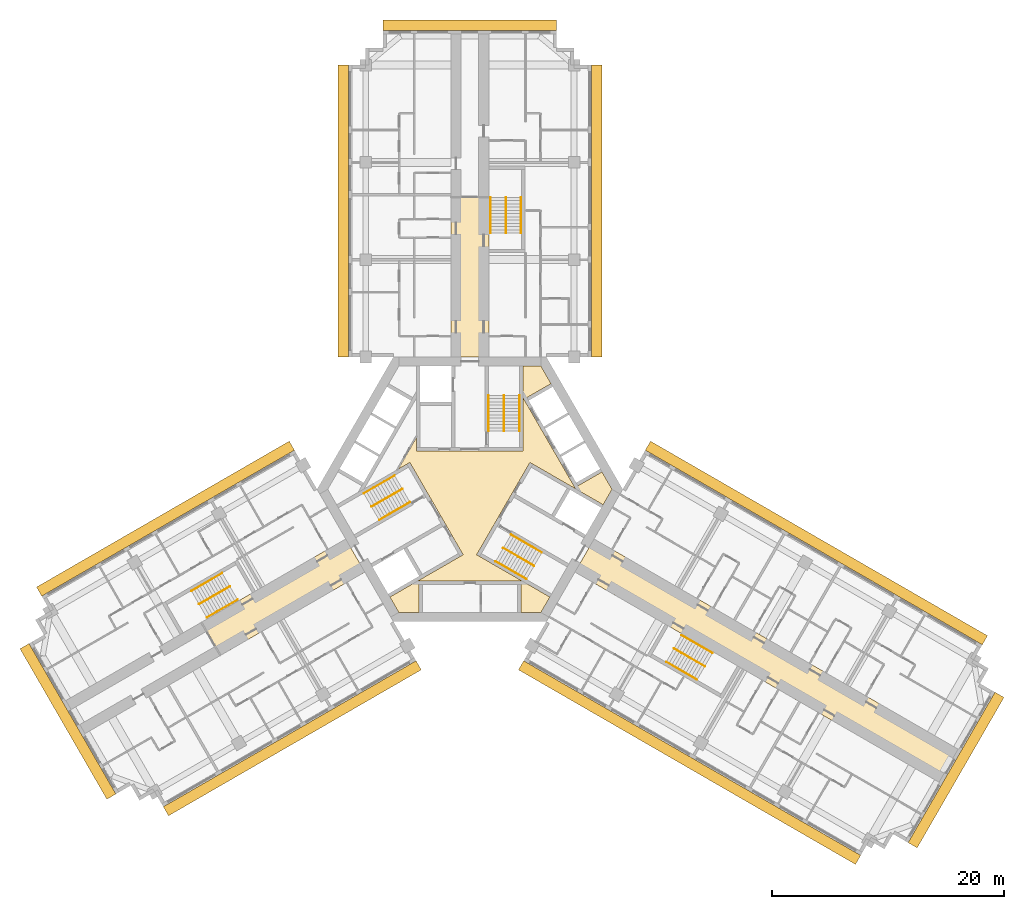
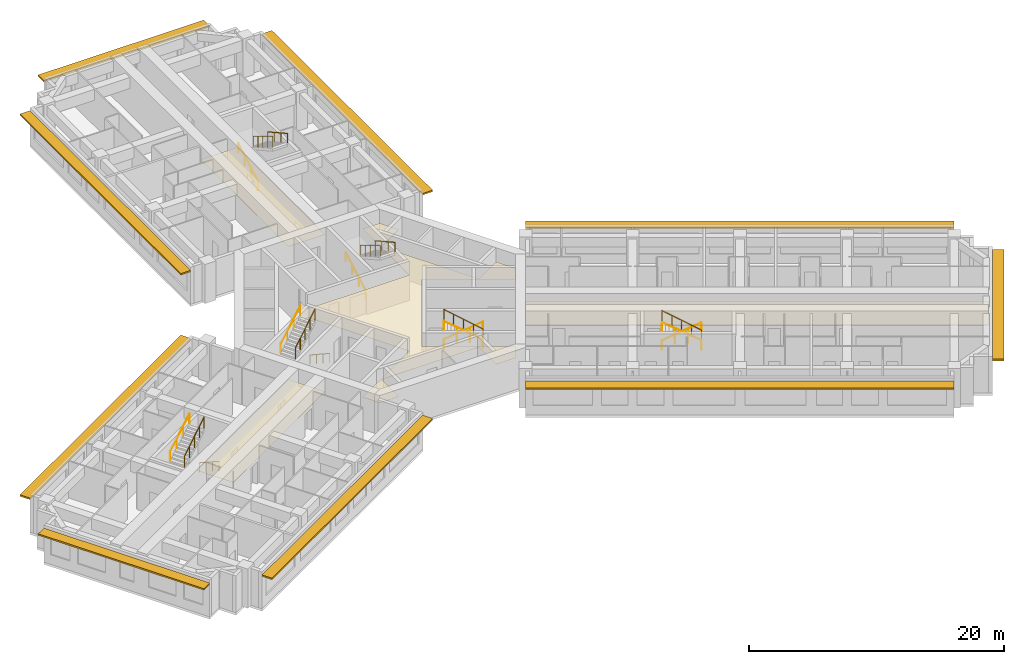
# One storey, part 14 of 14: 18 railings, 4 coverings, 3 shading devices.
"""IFC4 building model written with IfcOpenShell, lengths in metres."""

from ifc_helpers import new_model, si_unit, direction, frame, origin, origin_2d, place, context, subcontext, project, spatial, polyline, rectangle, circle, outline, extrude, material, layer, layer_set, type_object, element, save


model = new_model("IFC4")

# Units and contexts
model_context = context("Model", 3, precision=1e-05, world=origin(), true_north=direction((0.0, 1.0)))
body_context = subcontext(model_context, "Body", "Model", "MODEL_VIEW")
ifc_project = project(units=[si_unit("LENGTHUNIT", "METRE"), si_unit("AREAUNIT", "SQUARE_METRE"), si_unit("VOLUMEUNIT", "CUBIC_METRE"), si_unit("PLANEANGLEUNIT", "RADIAN"), si_unit("MASSUNIT", "GRAM", prefix="KILO")], contexts=[model_context])

# Site, building, storey
site_placement = place(None, origin())
site = spatial("IfcSite", under=ifc_project, at=site_placement, CompositionType="ELEMENT")
building_placement = place(site_placement, origin())
building = spatial("IfcBuilding", under=site, at=building_placement, Name="Impinga Residences", CompositionType="ELEMENT")
storey_placement = place(building_placement, frame((0.0, 0.0, 147.25)))
storey = spatial("IfcBuildingStorey", under=building, at=storey_placement, Name="L36", CompositionType="ELEMENT", Elevation=147.25)

# Coverings
ifc_material_1 = material(Name="Plasterboard 15 mm on steel hangers", Category="steel")
ifc_layer_1 = layer(ifc_material_1, 0.014892578125)
ifc_layer_set_1 = layer_set([ifc_layer_1], Name="Plasterboard 15 mm on steel hangers")
covering_type_1 = type_object("IfcCoveringType", Name="CL1 corridor ceiling, 15 mm plasterboard on hangers", PredefinedType="CEILING", material=ifc_layer_set_1)
covering_1_placement = place(storey_placement, frame((0.0, 0.0, 2.39990234375)))
element("IfcCovering", 1, at=covering_1_placement, inside=storey, type_object=covering_type_1, Name="Corridor ceiling CL1 L36-N00", PredefinedType="CEILING", context=body_context, shape_type="SweptSolid", body=[
    extrude(outline(polyline([(-1.64990234375, 11.431640625), (1.64990234375, 11.431640625), (1.64990234375, 25.181640625), (-1.64990234375, 25.181640625), (-1.64990234375, 11.431640625)])), origin(), (0.0, 0.0, 1.0), 0.01513671875),
])
covering_2_placement = place(storey_placement, frame((0.0, 0.0, 2.39990234375)))
element("IfcCovering", 2, at=covering_2_placement, inside=storey, type_object=covering_type_1, Name="Corridor ceiling CL1 L36-W00", PredefinedType="CEILING", context=body_context, shape_type="SweptSolid", body=[
    extrude(outline(polyline([(-9.074951171875, -7.144775390625), (-10.72509765625, -4.286865234375), (-23.15234375, -11.4619140625), (-21.50244140625, -14.31982421875), (-9.074951171875, -7.144775390625)])), origin(), (0.0, 0.0, 1.0), 0.01513671875),
])
covering_3_placement = place(storey_placement, frame((0.0, 0.0, 2.39990234375)))
element("IfcCovering", 3, at=covering_3_placement, inside=storey, type_object=covering_type_1, Name="Corridor ceiling CL1 L36-E00", PredefinedType="CEILING", context=body_context, shape_type="SweptSolid", body=[
    extrude(outline(polyline([(10.72509765625, -4.286865234375), (9.074951171875, -7.144775390625), (40.51171875, -25.294677734375), (42.16162109375, -22.436767578125), (10.72509765625, -4.286865234375)])), origin(), (0.0, 0.0, 1.0), 0.01513671875),
])
ifc_material_2 = material(Name="Mineral fibre tiles 20 mm on exposed grid", Category="mineral fibre")
ifc_layer_2 = layer(ifc_material_2, 0.02001953125)
ifc_layer_set_2 = layer_set([ifc_layer_2], Name="CL2 lift lobby ceiling, 20 mm mineral fibre tiles")
covering_type_2 = type_object("IfcCoveringType", Name="CL2 lift lobby ceiling, 20 mm mineral fibre tiles", PredefinedType="CEILING", material=ifc_layer_set_2)
covering_4_placement = place(storey_placement, frame((0.0, 0.0, 2.39990234375)))
element("IfcCovering", 4, at=covering_4_placement, inside=storey, type_object=covering_type_2, Name="Lift lobby ceiling CL2 L36-C01", PredefinedType="CEILING", context=body_context, shape_type="SweptSolid", body=[
    extrude(outline(polyline([(5.183837890625, 2.318603515625), (0.583984375, -5.648681640625), (6.9072265625, -9.299560546875), (6.13818359375, -10.631591796875), (4.39990234375, -10.631591796875), (4.39990234375, -7.931640625), (-4.39990234375, -7.931640625), (-4.39990234375, -10.631591796875), (-6.13818359375, -10.631591796875), (-6.9072265625, -9.299560546875), (-0.583984375, -5.648681640625), (-5.183837890625, 2.318603515625), (-6.193359375, 1.73583984375), (-4.60009765625, 4.49560546875), (-4.60009765625, 3.330078125), (4.60009765625, 3.330078125), (4.60009765625, 10.631591796875), (6.13818359375, 10.631591796875), (7.007080078125, 9.126220703125), (4.6689453125, 7.7763671875), (9.06884765625, 0.1552734375), (11.4072265625, 1.50537109375), (12.276123046875, 0.0), (11.507080078125, -1.33203125), (5.183837890625, 2.318603515625)])), origin(), (0.0, 0.0, 1.0), 0.02001953125),
])

# Railings
ifc_material_3 = material(Name="Steel guard, powder coated", Category="steel")
railing_type_1 = type_object("IfcRailingType", Name="GR1 stair guard 1100", PredefinedType="GUARDRAIL", material=ifc_material_3)
railing_1_placement = place(storey_placement, frame((2.949951171875, 8.110107421875, 1.875)))
element("IfcRailing", 5, at=railing_1_placement, inside=storey, type_object=railing_type_1, Name="Stair guard GR1 ST1 L36", PredefinedType="GUARDRAIL", context=body_context, shape_type="SweptSolid", body=[
    extrude(circle(Radius=0.02392578125, at=origin_2d()), frame((0.0, 0.0, 1.076171875), z_axis=(0.0, -0.854177636135, 0.519981313056), x_axis=(1.0, 0.0, 0.0)), (0.0, 0.0, 1.0), 3.60595703125),
    extrude(circle(Radius=0.02099609375, at=origin_2d()), origin(), (0.0, 0.0, 1.0), 1.052001953125),
    extrude(circle(Radius=0.02099609375, at=origin_2d()), frame((0.0, -0.77001953125, 0.46875)), (0.0, 0.0, 1.0), 1.052001953125),
    extrude(circle(Radius=0.02099609375, at=origin_2d()), frame((0.0, -1.5400390625, 0.9375)), (0.0, 0.0, 1.0), 1.052001953125),
    extrude(circle(Radius=0.02099609375, at=origin_2d()), frame((0.0, -2.31005859375, 1.40625)), (0.0, 0.0, 1.0), 1.052001953125),
    extrude(circle(Radius=0.02099609375, at=origin_2d()), frame((0.0, -3.080078125, 1.875)), (0.0, 0.0, 1.0), 1.052001953125),
])
railing_2_placement = place(storey_placement, frame((-8.49853515625, -1.500244140625, 1.875)))
element("IfcRailing", 6, at=railing_2_placement, inside=storey, type_object=railing_type_1, Name="Stair guard GR1 ST2 L36", PredefinedType="GUARDRAIL", context=body_context, shape_type="SweptSolid", body=[
    extrude(circle(Radius=0.02392578125, at=origin_2d()), frame((0.0, 0.0, 1.076171875), z_axis=(0.739746383972, 0.427084037168, 0.519975492303), x_axis=(-0.499992328818, 0.866029832698, 0.0)), (0.0, 0.0, 1.0), 3.60595703125),
    extrude(circle(Radius=0.02099609375, at=origin_2d()), origin(), (0.0, 0.0, 1.0), 1.052001953125),
    extrude(circle(Radius=0.02099609375, at=origin_2d()), frame((0.6669921875, 0.385009765625, 0.46875)), (0.0, 0.0, 1.0), 1.052001953125),
    extrude(circle(Radius=0.02099609375, at=origin_2d()), frame((1.333740234375, 0.77001953125, 0.9375)), (0.0, 0.0, 1.0), 1.052001953125),
    extrude(circle(Radius=0.02099609375, at=origin_2d()), frame((2.00048828125, 1.155029296875, 1.40625)), (0.0, 0.0, 1.0), 1.052001953125),
    extrude(circle(Radius=0.02099609375, at=origin_2d()), frame((2.66748046875, 1.5400390625, 1.875)), (0.0, 0.0, 1.0), 1.052001953125),
])
railing_3_placement = place(storey_placement, frame((5.548583984375, -6.60986328125, 1.875)))
element("IfcRailing", 7, at=railing_3_placement, inside=storey, type_object=railing_type_1, Name="Stair guard GR1 ST3 L36", PredefinedType="GUARDRAIL", context=body_context, shape_type="SweptSolid", body=[
    extrude(circle(Radius=0.02392578125, at=origin_2d()), frame((0.0, 0.0, 1.076171875), z_axis=(-0.739746383972, 0.427084037168, 0.519975492303), x_axis=(-0.499992328818, -0.866029832698, 0.0)), (0.0, 0.0, 1.0), 3.60595703125),
    extrude(circle(Radius=0.02099609375, at=origin_2d()), origin(), (0.0, 0.0, 1.0), 1.052001953125),
    extrude(circle(Radius=0.02099609375, at=origin_2d()), frame((-0.6669921875, 0.385009765625, 0.46875)), (0.0, 0.0, 1.0), 1.052001953125),
    extrude(circle(Radius=0.02099609375, at=origin_2d()), frame((-1.333740234375, 0.77001953125, 0.9375)), (0.0, 0.0, 1.0), 1.052001953125),
    extrude(circle(Radius=0.02099609375, at=origin_2d()), frame((-2.00048828125, 1.155029296875, 1.40625)), (0.0, 0.0, 1.0), 1.052001953125),
    extrude(circle(Radius=0.02099609375, at=origin_2d()), frame((-2.66748046875, 1.5400390625, 1.875)), (0.0, 0.0, 1.0), 1.052001953125),
])
railing_4_placement = place(storey_placement, frame((3.10009765625, 25.21142578125, 1.875)))
element("IfcRailing", 8, at=railing_4_placement, inside=storey, type_object=railing_type_1, Name="Stair guard GR1 WS1 L36", PredefinedType="GUARDRAIL", context=body_context, shape_type="SweptSolid", body=[
    extrude(circle(Radius=0.02392578125, at=origin_2d()), frame((0.0, 0.0, 1.076171875), z_axis=(0.0, -0.854159328187, 0.520011386482), x_axis=(1.0, 0.0, 0.0)), (0.0, 0.0, 1.0), 3.605712890625),
    extrude(circle(Radius=0.02099609375, at=origin_2d()), origin(), (0.0, 0.0, 1.0), 1.052001953125),
    extrude(circle(Radius=0.02099609375, at=origin_2d()), frame((0.0, -0.77001953125, 0.46875)), (0.0, 0.0, 1.0), 1.052001953125),
    extrude(circle(Radius=0.02099609375, at=origin_2d()), frame((0.0, -1.5400390625, 0.9375)), (0.0, 0.0, 1.0), 1.052001953125),
    extrude(circle(Radius=0.02099609375, at=origin_2d()), frame((0.0, -2.309814453125, 1.40625)), (0.0, 0.0, 1.0), 1.052001953125),
    extrude(circle(Radius=0.02099609375, at=origin_2d()), frame((0.0, -3.079833984375, 1.875)), (0.0, 0.0, 1.0), 1.052001953125),
])
railing_5_placement = place(storey_placement, frame((-23.3837890625, -9.921142578125, 1.875)))
element("IfcRailing", 9, at=railing_5_placement, inside=storey, type_object=railing_type_1, Name="Stair guard GR1 WS2 L36", PredefinedType="GUARDRAIL", context=body_context, shape_type="SweptSolid", body=[
    extrude(circle(Radius=0.02392578125, at=origin_2d()), frame((0.0, 0.0, 1.076171875), z_axis=(0.739715726454, 0.427105428144, 0.52000153585), x_axis=(-0.500026652407, 0.866010015463, 0.0)), (0.0, 0.0, 1.0), 3.605712890625),
    extrude(circle(Radius=0.02099609375, at=origin_2d()), origin(), (0.0, 0.0, 1.0), 1.052001953125),
    extrude(circle(Radius=0.02099609375, at=origin_2d()), frame((0.666748046875, 0.385009765625, 0.46875)), (0.0, 0.0, 1.0), 1.052001953125),
    extrude(circle(Radius=0.02099609375, at=origin_2d()), frame((1.33349609375, 0.77001953125, 0.9375)), (0.0, 0.0, 1.0), 1.052001953125),
    extrude(circle(Radius=0.02099609375, at=origin_2d()), frame((2.00048828125, 1.155029296875, 1.40625)), (0.0, 0.0, 1.0), 1.052001953125),
    extrude(circle(Radius=0.02099609375, at=origin_2d()), frame((2.667236328125, 1.5400390625, 1.875)), (0.0, 0.0, 1.0), 1.052001953125),
])
railing_6_placement = place(storey_placement, frame((20.283935546875, -15.29052734375, 1.875)))
element("IfcRailing", 10, at=railing_6_placement, inside=storey, type_object=railing_type_1, Name="Stair guard GR1 WS3 L36", PredefinedType="GUARDRAIL", context=body_context, shape_type="SweptSolid", body=[
    extrude(circle(Radius=0.02392578125, at=origin_2d()), frame((0.0, 0.0, 1.076171875), z_axis=(-0.739746383972, 0.427084037168, 0.519975492303), x_axis=(-0.499992328818, -0.866029832698, 0.0)), (0.0, 0.0, 1.0), 3.60595703125),
    extrude(circle(Radius=0.02099609375, at=origin_2d()), origin(), (0.0, 0.0, 1.0), 1.052001953125),
    extrude(circle(Radius=0.02099609375, at=origin_2d()), frame((-0.6669921875, 0.385009765625, 0.46875)), (0.0, 0.0, 1.0), 1.052001953125),
    extrude(circle(Radius=0.02099609375, at=origin_2d()), frame((-1.333740234375, 0.77001953125, 0.9375)), (0.0, 0.0, 1.0), 1.052001953125),
    extrude(circle(Radius=0.02099609375, at=origin_2d()), frame((-2.00048828125, 1.155029296875, 1.40625)), (0.0, 0.0, 1.0), 1.052001953125),
    extrude(circle(Radius=0.02099609375, at=origin_2d()), frame((-2.66748046875, 1.5400390625, 1.875)), (0.0, 0.0, 1.0), 1.052001953125),
])
ifc_material_4 = material(Name="Steel handrail tube 42 mm, powder coated", Category="steel")
railing_type_2 = type_object("IfcRailingType", Name="HR1 stair handrail, 42 mm steel tube, 900 above the pitch line", PredefinedType="HANDRAIL", material=ifc_material_4)
railing_7_placement = place(storey_placement, frame((1.62109375, 5.030029296875, 0.15625)))
element("IfcRailing", 11, at=railing_7_placement, inside=storey, type_object=railing_type_2, Name="Stair handrail HR1 ST1 L36", PredefinedType="HANDRAIL", context=body_context, shape_type="SweptSolid", body=[
    extrude(circle(Radius=0.02099609375, at=origin_2d()), frame((0.0, 0.0, 0.87890625), z_axis=(0.0, 0.873241540666, 0.487287606713), x_axis=(-1.0, 0.0, 0.0)), (0.0, 0.0, 1.0), 3.527099609375),
    extrude(circle(Radius=0.012451171875, at=origin_2d()), origin(), (0.0, 0.0, 1.0), 0.85791015625),
    extrude(circle(Radius=0.012451171875, at=origin_2d()), frame((0.0, 1.026611328125, 0.572998046875)), (0.0, 0.0, 1.0), 0.85791015625),
    extrude(circle(Radius=0.012451171875, at=origin_2d()), frame((0.0, 2.053466796875, 1.145751953125)), (0.0, 0.0, 1.0), 0.85791015625),
    extrude(circle(Radius=0.012451171875, at=origin_2d()), frame((0.0, 3.080078125, 1.71875)), (0.0, 0.0, 1.0), 0.85791015625),
])
railing_8_placement = place(storey_placement, frame((4.279052734375, 8.110107421875, 2.03125)))
element("IfcRailing", 12, at=railing_8_placement, inside=storey, type_object=railing_type_2, Name="Stair handrail HR1 ST1 L36", PredefinedType="HANDRAIL", context=body_context, shape_type="SweptSolid", body=[
    extrude(circle(Radius=0.02099609375, at=origin_2d()), frame((0.0, 0.0, 0.87890625), z_axis=(0.0, -0.873241540666, 0.487287606713), x_axis=(1.0, 0.0, 0.0)), (0.0, 0.0, 1.0), 3.527099609375),
    extrude(circle(Radius=0.012451171875, at=origin_2d()), origin(), (0.0, 0.0, 1.0), 0.85791015625),
    extrude(circle(Radius=0.012451171875, at=origin_2d()), frame((0.0, -1.026611328125, 0.572998046875)), (0.0, 0.0, 1.0), 0.85791015625),
    extrude(circle(Radius=0.012451171875, at=origin_2d()), frame((0.0, -2.053466796875, 1.145751953125)), (0.0, 0.0, 1.0), 0.85791015625),
    extrude(circle(Radius=0.012451171875, at=origin_2d()), frame((0.0, -3.080078125, 1.71875)), (0.0, 0.0, 1.0), 0.85791015625),
])
railing_9_placement = place(storey_placement, frame((-5.16650390625, -1.111083984375, 0.15625)))
element("IfcRailing", 13, at=railing_9_placement, inside=storey, type_object=railing_type_2, Name="Stair handrail HR1 ST2 L36", PredefinedType="HANDRAIL", context=body_context, shape_type="SweptSolid", body=[
    extrude(circle(Radius=0.02099609375, at=origin_2d()), frame((0.0, 0.0, 0.87890625), z_axis=(-0.756255980417, -0.436615662133, 0.487281905742), x_axis=(0.499992328818, -0.866029832698, 0.0)), (0.0, 0.0, 1.0), 3.527099609375),
    extrude(circle(Radius=0.012451171875, at=origin_2d()), origin(), (0.0, 0.0, 1.0), 0.85791015625),
    extrude(circle(Radius=0.012451171875, at=origin_2d()), frame((-0.88916015625, -0.513427734375, 0.572998046875)), (0.0, 0.0, 1.0), 0.85791015625),
    extrude(circle(Radius=0.012451171875, at=origin_2d()), frame((-1.7783203125, -1.026611328125, 1.145751953125)), (0.0, 0.0, 1.0), 0.85791015625),
    extrude(circle(Radius=0.012451171875, at=origin_2d()), frame((-2.66748046875, -1.5400390625, 1.71875)), (0.0, 0.0, 1.0), 0.85791015625),
])
railing_10_placement = place(storey_placement, frame((-9.1630859375, -0.349365234375, 2.03125)))
element("IfcRailing", 14, at=railing_10_placement, inside=storey, type_object=railing_type_2, Name="Stair handrail HR1 ST2 L36", PredefinedType="HANDRAIL", context=body_context, shape_type="SweptSolid", body=[
    extrude(circle(Radius=0.02099609375, at=origin_2d()), frame((0.0, 0.0, 0.87890625), z_axis=(0.756255980417, 0.436615662133, 0.487281905742), x_axis=(-0.499992328818, 0.866029832698, 0.0)), (0.0, 0.0, 1.0), 3.527099609375),
    extrude(circle(Radius=0.012451171875, at=origin_2d()), origin(), (0.0, 0.0, 1.0), 0.85791015625),
    extrude(circle(Radius=0.012451171875, at=origin_2d()), frame((0.88916015625, 0.513427734375, 0.572998046875)), (0.0, 0.0, 1.0), 0.85791015625),
    extrude(circle(Radius=0.012451171875, at=origin_2d()), frame((1.7783203125, 1.026611328125, 1.145751953125)), (0.0, 0.0, 1.0), 0.85791015625),
    extrude(circle(Radius=0.012451171875, at=origin_2d()), frame((2.66748046875, 1.5400390625, 1.71875)), (0.0, 0.0, 1.0), 0.85791015625),
])
railing_11_placement = place(storey_placement, frame((3.545654296875, -3.9189453125, 0.15625)))
element("IfcRailing", 15, at=railing_11_placement, inside=storey, type_object=railing_type_2, Name="Stair handrail HR1 ST3 L36", PredefinedType="HANDRAIL", context=body_context, shape_type="SweptSolid", body=[
    extrude(circle(Radius=0.02099609375, at=origin_2d()), frame((0.0, 0.0, 0.87890625), z_axis=(0.756249203677, -0.436582492228, 0.487322141317), x_axis=(0.499967199496, 0.866044340336, 0.0)), (0.0, 0.0, 1.0), 3.52685546875),
    extrude(circle(Radius=0.012451171875, at=origin_2d()), origin(), (0.0, 0.0, 1.0), 0.85791015625),
    extrude(circle(Radius=0.012451171875, at=origin_2d()), frame((0.88916015625, -0.51318359375, 0.572998046875)), (0.0, 0.0, 1.0), 0.85791015625),
    extrude(circle(Radius=0.012451171875, at=origin_2d()), frame((1.778076171875, -1.026611328125, 1.145751953125)), (0.0, 0.0, 1.0), 0.85791015625),
    extrude(circle(Radius=0.012451171875, at=origin_2d()), frame((2.667236328125, -1.539794921875, 1.71875)), (0.0, 0.0, 1.0), 0.85791015625),
])
railing_12_placement = place(storey_placement, frame((4.884033203125, -7.7607421875, 2.03125)))
element("IfcRailing", 16, at=railing_12_placement, inside=storey, type_object=railing_type_2, Name="Stair handrail HR1 ST3 L36", PredefinedType="HANDRAIL", context=body_context, shape_type="SweptSolid", body=[
    extrude(circle(Radius=0.02099609375, at=origin_2d()), frame((0.0, 0.0, 0.87890625), z_axis=(-0.756255980417, 0.436615662133, 0.487281905742), x_axis=(-0.499992328818, -0.866029832698, 0.0)), (0.0, 0.0, 1.0), 3.527099609375),
    extrude(circle(Radius=0.012451171875, at=origin_2d()), origin(), (0.0, 0.0, 1.0), 0.85791015625),
    extrude(circle(Radius=0.012451171875, at=origin_2d()), frame((-0.88916015625, 0.513427734375, 0.572998046875)), (0.0, 0.0, 1.0), 0.85791015625),
    extrude(circle(Radius=0.012451171875, at=origin_2d()), frame((-1.7783203125, 1.026611328125, 1.145751953125)), (0.0, 0.0, 1.0), 0.85791015625),
    extrude(circle(Radius=0.012451171875, at=origin_2d()), frame((-2.66748046875, 1.5400390625, 1.71875)), (0.0, 0.0, 1.0), 0.85791015625),
])
railing_13_placement = place(storey_placement, frame((1.77099609375, 22.131591796875, 0.15625)))
element("IfcRailing", 17, at=railing_13_placement, inside=storey, type_object=railing_type_2, Name="Stair handrail HR1 WS1 L36", PredefinedType="HANDRAIL", context=body_context, shape_type="SweptSolid", body=[
    extrude(circle(Radius=0.02099609375, at=origin_2d()), frame((0.0, 0.0, 0.87890625), z_axis=(0.0, 0.873225103656, 0.487317061414), x_axis=(-1.0, 0.0, 0.0)), (0.0, 0.0, 1.0), 3.52685546875),
    extrude(circle(Radius=0.012451171875, at=origin_2d()), origin(), (0.0, 0.0, 1.0), 0.85791015625),
    extrude(circle(Radius=0.012451171875, at=origin_2d()), frame((0.0, 1.026611328125, 0.572998046875)), (0.0, 0.0, 1.0), 0.85791015625),
    extrude(circle(Radius=0.012451171875, at=origin_2d()), frame((0.0, 2.05322265625, 1.145751953125)), (0.0, 0.0, 1.0), 0.85791015625),
    extrude(circle(Radius=0.012451171875, at=origin_2d()), frame((0.0, 3.079833984375, 1.71875)), (0.0, 0.0, 1.0), 0.85791015625),
])
railing_14_placement = place(storey_placement, frame((4.428955078125, 25.21142578125, 2.03125)))
element("IfcRailing", 18, at=railing_14_placement, inside=storey, type_object=railing_type_2, Name="Stair handrail HR1 WS1 L36", PredefinedType="HANDRAIL", context=body_context, shape_type="SweptSolid", body=[
    extrude(circle(Radius=0.02099609375, at=origin_2d()), frame((0.0, 0.0, 0.87890625), z_axis=(0.0, -0.873225103656, 0.487317061414), x_axis=(1.0, 0.0, 0.0)), (0.0, 0.0, 1.0), 3.52685546875),
    extrude(circle(Radius=0.012451171875, at=origin_2d()), origin(), (0.0, 0.0, 1.0), 0.85791015625),
    extrude(circle(Radius=0.012451171875, at=origin_2d()), frame((0.0, -1.026611328125, 0.572998046875)), (0.0, 0.0, 1.0), 0.85791015625),
    extrude(circle(Radius=0.012451171875, at=origin_2d()), frame((0.0, -2.05322265625, 1.145751953125)), (0.0, 0.0, 1.0), 0.85791015625),
    extrude(circle(Radius=0.012451171875, at=origin_2d()), frame((0.0, -3.079833984375, 1.71875)), (0.0, 0.0, 1.0), 0.85791015625),
])
railing_15_placement = place(storey_placement, frame((-20.052001953125, -9.531982421875, 0.15625)))
element("IfcRailing", 19, at=railing_15_placement, inside=storey, type_object=railing_type_2, Name="Stair handrail HR1 WS2 L36", PredefinedType="HANDRAIL", context=body_context, shape_type="SweptSolid", body=[
    extrude(circle(Radius=0.02099609375, at=origin_2d()), frame((0.0, 0.0, 0.87890625), z_axis=(-0.756226348243, -0.436638517594, 0.487307413422), x_axis=(0.500026652407, -0.866010015463, 0.0)), (0.0, 0.0, 1.0), 3.527099609375),
    extrude(circle(Radius=0.012451171875, at=origin_2d()), origin(), (0.0, 0.0, 1.0), 0.85791015625),
    extrude(circle(Radius=0.012451171875, at=origin_2d()), frame((-0.88916015625, -0.513427734375, 0.572998046875)), (0.0, 0.0, 1.0), 0.85791015625),
    extrude(circle(Radius=0.012451171875, at=origin_2d()), frame((-1.778076171875, -1.026611328125, 1.145751953125)), (0.0, 0.0, 1.0), 0.85791015625),
    extrude(circle(Radius=0.012451171875, at=origin_2d()), frame((-2.667236328125, -1.5400390625, 1.71875)), (0.0, 0.0, 1.0), 0.85791015625),
])
railing_16_placement = place(storey_placement, frame((-24.04833984375, -8.77001953125, 2.03125)))
element("IfcRailing", 20, at=railing_16_placement, inside=storey, type_object=railing_type_2, Name="Stair handrail HR1 WS2 L36", PredefinedType="HANDRAIL", context=body_context, shape_type="SweptSolid", body=[
    extrude(circle(Radius=0.02099609375, at=origin_2d()), frame((0.0, 0.0, 0.87890625), z_axis=(0.756278834354, 0.436559638319, 0.487296631324), x_axis=(-0.499932877268, 0.866064153644, 0.0)), (0.0, 0.0, 1.0), 3.527099609375),
    extrude(circle(Radius=0.012451171875, at=origin_2d()), origin(), (0.0, 0.0, 1.0), 0.85791015625),
    extrude(circle(Radius=0.012451171875, at=origin_2d()), frame((0.88916015625, 0.51318359375, 0.572998046875)), (0.0, 0.0, 1.0), 0.85791015625),
    extrude(circle(Radius=0.012451171875, at=origin_2d()), frame((1.7783203125, 1.026611328125, 1.145751953125)), (0.0, 0.0, 1.0), 0.85791015625),
    extrude(circle(Radius=0.012451171875, at=origin_2d()), frame((2.66748046875, 1.539794921875, 1.71875)), (0.0, 0.0, 1.0), 0.85791015625),
])
railing_17_placement = place(storey_placement, frame((18.281005859375, -12.599609375, 0.15625)))
element("IfcRailing", 21, at=railing_17_placement, inside=storey, type_object=railing_type_2, Name="Stair handrail HR1 WS3 L36", PredefinedType="HANDRAIL", context=body_context, shape_type="SweptSolid", body=[
    extrude(circle(Radius=0.02099609375, at=origin_2d()), frame((0.0, 0.0, 0.87890625), z_axis=(0.756249203677, -0.436582492228, 0.487322141317), x_axis=(0.499967199496, 0.866044340336, 0.0)), (0.0, 0.0, 1.0), 3.52685546875),
    extrude(circle(Radius=0.012451171875, at=origin_2d()), origin(), (0.0, 0.0, 1.0), 0.85791015625),
    extrude(circle(Radius=0.012451171875, at=origin_2d()), frame((0.88916015625, -0.51318359375, 0.572998046875)), (0.0, 0.0, 1.0), 0.85791015625),
    extrude(circle(Radius=0.012451171875, at=origin_2d()), frame((1.778076171875, -1.026611328125, 1.145751953125)), (0.0, 0.0, 1.0), 0.85791015625),
    extrude(circle(Radius=0.012451171875, at=origin_2d()), frame((2.667236328125, -1.539794921875, 1.71875)), (0.0, 0.0, 1.0), 0.85791015625),
])
railing_18_placement = place(storey_placement, frame((19.619384765625, -16.44140625, 2.03125)))
element("IfcRailing", 22, at=railing_18_placement, inside=storey, type_object=railing_type_2, Name="Stair handrail HR1 WS3 L36", PredefinedType="HANDRAIL", context=body_context, shape_type="SweptSolid", body=[
    extrude(circle(Radius=0.02099609375, at=origin_2d()), frame((0.0, 0.0, 0.87890625), z_axis=(-0.756255980417, 0.436615662133, 0.487281905742), x_axis=(-0.499992328818, -0.866029832698, 0.0)), (0.0, 0.0, 1.0), 3.527099609375),
    extrude(circle(Radius=0.012451171875, at=origin_2d()), origin(), (0.0, 0.0, 1.0), 0.85791015625),
    extrude(circle(Radius=0.012451171875, at=origin_2d()), frame((-0.88916015625, 0.513427734375, 0.572998046875)), (0.0, 0.0, 1.0), 0.85791015625),
    extrude(circle(Radius=0.012451171875, at=origin_2d()), frame((-1.7783203125, 1.026611328125, 1.145751953125)), (0.0, 0.0, 1.0), 0.85791015625),
    extrude(circle(Radius=0.012451171875, at=origin_2d()), frame((-2.66748046875, 1.5400390625, 1.71875)), (0.0, 0.0, 1.0), 0.85791015625),
])

# Shading devices
ifc_material_5 = material(Name="Terracotta sunshade blades on aluminium brackets", Category="masonry")
ifc_layer_3 = layer(ifc_material_5, 0.14990234375)
ifc_layer_set_3 = layer_set([ifc_layer_3], Name="SS1 SUNSHADE terracotta sunshade band 900")
shading_device_type = type_object("IfcShadingDeviceType", Name="SS1 SUNSHADE terracotta sunshade band 900", PredefinedType="USERDEFINED", material=ifc_layer_set_3)
shading_device_1_placement = place(storey_placement, frame((-10.949951171875, 24.031494140625, 3.10009765625), z_axis=(0.0, 0.0, 1.0), x_axis=(0.0, 1.0, 0.0)))
element("IfcShadingDevice", 23, at=shading_device_1_placement, inside=storey, type_object=shading_device_type, Name="SUNSHADE band L36 NORTH WING", ObjectType="SUNSHADE", PredefinedType="USERDEFINED", context=body_context, shape_type="SweptSolid", body=[
    extrude(rectangle(XDim=25.199951171875, YDim=0.89990234375, at=origin_2d()), origin(), (0.0, 0.0, 1.0), 0.14990234375),
    extrude(rectangle(XDim=15.0, YDim=0.89990234375, at=origin_2d()), frame((16.050048828125, -10.949951171875, 0.0), z_axis=(0.0, 0.0, 1.0), x_axis=(0.0, -1.0, 0.0)), (0.0, 0.0, 1.0), 0.14990234375),
    extrude(rectangle(XDim=25.199951171875, YDim=0.89990234375, at=origin_2d()), frame((0.0, -21.89990234375, 0.0), z_axis=(0.0, 0.0, 1.0), x_axis=(-1.0, 0.0, 0.0)), (0.0, 0.0, 1.0), 0.14990234375),
])
shading_device_2_placement = place(storey_placement, frame((-15.3369140625, -21.498779296875, 3.10009765625), z_axis=(0.0, 0.0, 1.0), x_axis=(-0.866025403784, -0.5, 0.0)))
element("IfcShadingDevice", 24, at=shading_device_2_placement, inside=storey, type_object=shading_device_type, Name="SUNSHADE band L36 WEST WING", ObjectType="SUNSHADE", PredefinedType="USERDEFINED", context=body_context, shape_type="SweptSolid", body=[
    extrude(rectangle(XDim=25.199951171875, YDim=0.89990234375, at=origin_2d()), origin(), (0.0, 0.0, 1.0), 0.14990234375),
    extrude(rectangle(XDim=15.0, YDim=0.89990234375, at=origin_2d()), frame((16.050048828125, -10.949951171875, 0.0), z_axis=(0.0, 0.0, 1.0), x_axis=(0.0, -1.0, 0.0)), (0.0, 0.0, 1.0), 0.14990234375),
    extrude(rectangle(XDim=25.199951171875, YDim=0.89990234375, at=origin_2d()), frame((0.0, -21.900146484375, 0.0), z_axis=(0.0, 0.0, 1.0), x_axis=(-1.0, 0.0, 0.0)), (0.0, 0.0, 1.0), 0.14990234375),
])
shading_device_3_placement = place(storey_placement, frame((41.986328125, -24.24072265625, 3.10009765625), z_axis=(0.0, 0.0, 1.0), x_axis=(-0.5, -0.866025403784, 0.0)))
element("IfcShadingDevice", 25, at=shading_device_3_placement, inside=storey, type_object=shading_device_type, Name="SUNSHADE band L36 EAST WING", ObjectType="SUNSHADE", PredefinedType="USERDEFINED", context=body_context, shape_type="SweptSolid", body=[
    extrude(rectangle(XDim=15.0, YDim=0.89990234375, at=origin_2d()), origin(), (0.0, 0.0, 1.0), 0.14990234375),
    extrude(rectangle(XDim=33.60009765625, YDim=0.89990234375, at=origin_2d()), frame((10.949951171875, -20.250244140625, 0.0), z_axis=(0.0, 0.0, 1.0), x_axis=(0.0, -1.0, 0.0)), (0.0, 0.0, 1.0), 0.14990234375),
    extrude(rectangle(XDim=33.60009765625, YDim=0.89990234375, at=origin_2d()), frame((-10.949951171875, -20.25, 0.0), z_axis=(0.0, 0.0, 1.0), x_axis=(0.0, 1.0, 0.0)), (0.0, 0.0, 1.0), 0.14990234375),
])

save(model, "model.ifc")
